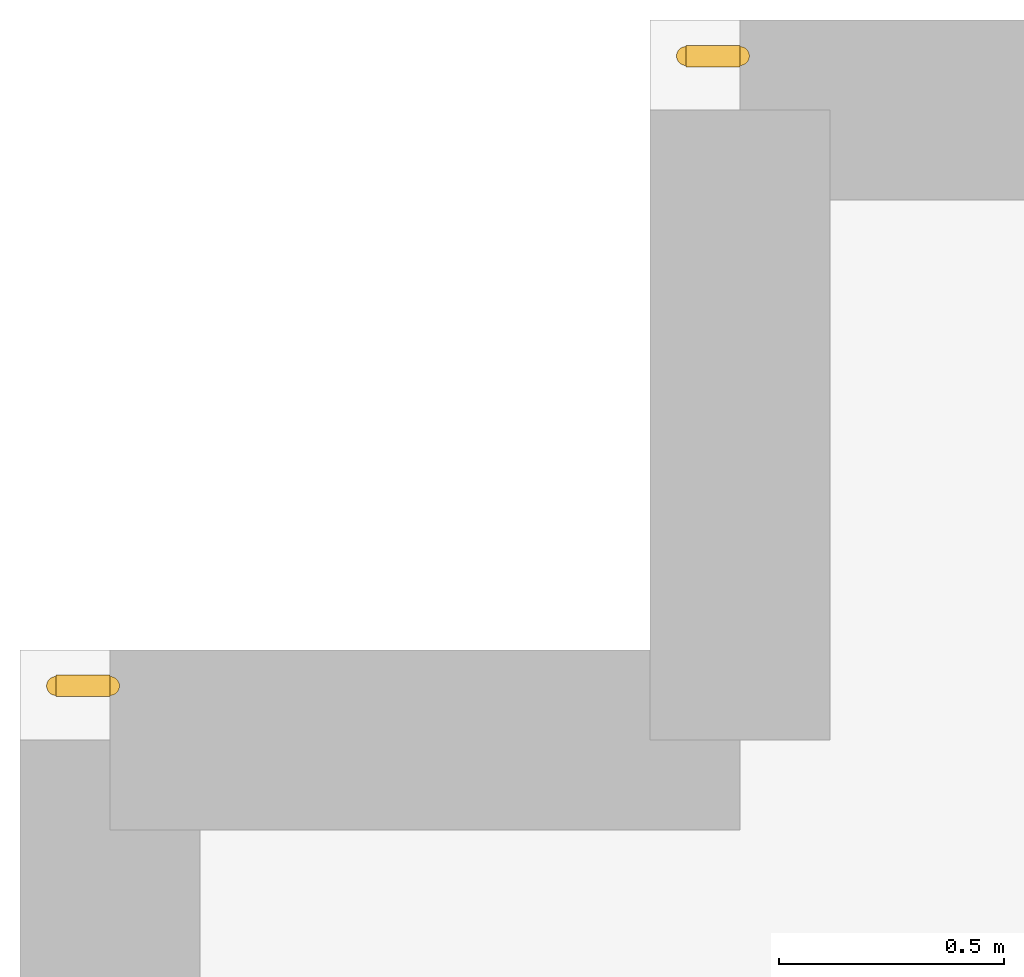
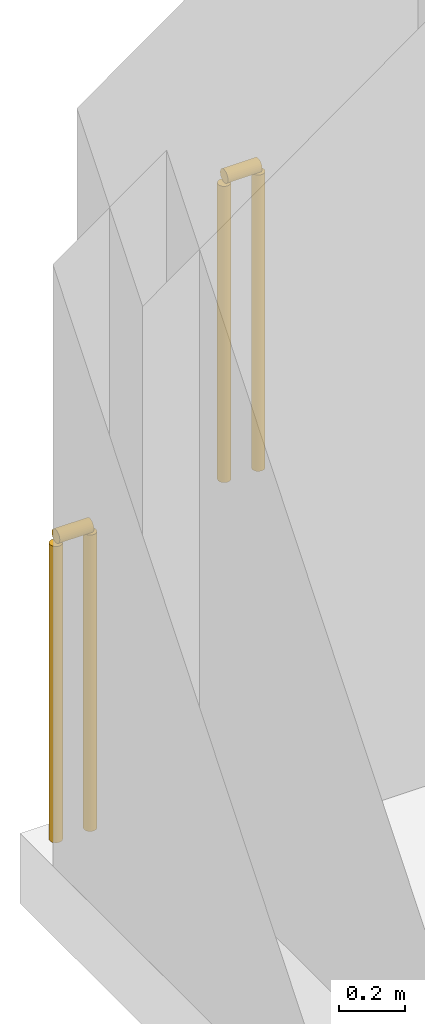
# One storey, part 12 of 14: 2 railings.
"""IFC4 building model written with IfcOpenShell, lengths in metres."""

from ifc_helpers import new_model, si_unit, direction, frame, origin, origin_2d, place, context, subcontext, project, spatial, circle, extrude, material, type_object, element, save


model = new_model("IFC4")

# Units and contexts
model_context = context("Model", 3, precision=1e-05, world=origin(), true_north=direction((0.0, 1.0)))
body_context = subcontext(model_context, "Body", "Model", "MODEL_VIEW")
ifc_project = project(units=[si_unit("LENGTHUNIT", "METRE"), si_unit("AREAUNIT", "SQUARE_METRE"), si_unit("VOLUMEUNIT", "CUBIC_METRE"), si_unit("PLANEANGLEUNIT", "RADIAN"), si_unit("MASSUNIT", "GRAM", prefix="KILO")], contexts=[model_context])

# Site, building, storey
site_placement = place(None, origin())
site = spatial("IfcSite", under=ifc_project, at=site_placement, CompositionType="ELEMENT")
building_placement = place(site_placement, origin())
building = spatial("IfcBuilding", under=site, at=building_placement, Name="Varnakote Quay Hospital", CompositionType="ELEMENT")
storey_placement = place(building_placement, frame((0.0, 0.0, -4.5)))
storey = spatial("IfcBuildingStorey", under=building, at=storey_placement, Name="B01", CompositionType="ELEMENT", Elevation=-4.5)

# Railings
ifc_material = material(Name="Anodised aluminium 6063-T6 Bronze", Category="aluminium")
railing_type = type_object("IfcRailingType", Name="RLG-EXT-GUARD-1150", PredefinedType="GUARDRAIL", material=ifc_material)
for number, where, name in (
    (1, (-1.52001953125, 45.320068359375, 0.0), "B01 Slab Edge Perimeter Safety Guard"),
    (2, (-0.1201171875, 46.719970703125, 0.0), "B01 Slab Edge Perimeter Safety Guard"),
):
    element("IfcRailing", number, at=place(storey_placement, frame(where)), inside=storey, type_object=railing_type, Name=name, PredefinedType="GUARDRAIL", context=body_context, shape_type="SweptSolid", body=[
        extrude(circle(Radius=0.02392578125, at=origin_2d()), frame((0.0, 0.0, 1.1259765625), z_axis=(1.0, 0.0, 0.0), x_axis=(0.0, 1.0, 0.0)), (0.0, 0.0, 1.0), 0.1201171875),
        extrude(circle(Radius=0.02099609375, at=origin_2d()), origin(), (0.0, 0.0, 1.0), 1.101806640625),
        extrude(circle(Radius=0.02099609375, at=origin_2d()), frame((0.1201171875, 0.0, 0.0)), (0.0, 0.0, 1.0), 1.101806640625),
    ])

save(model, "model.ifc")
